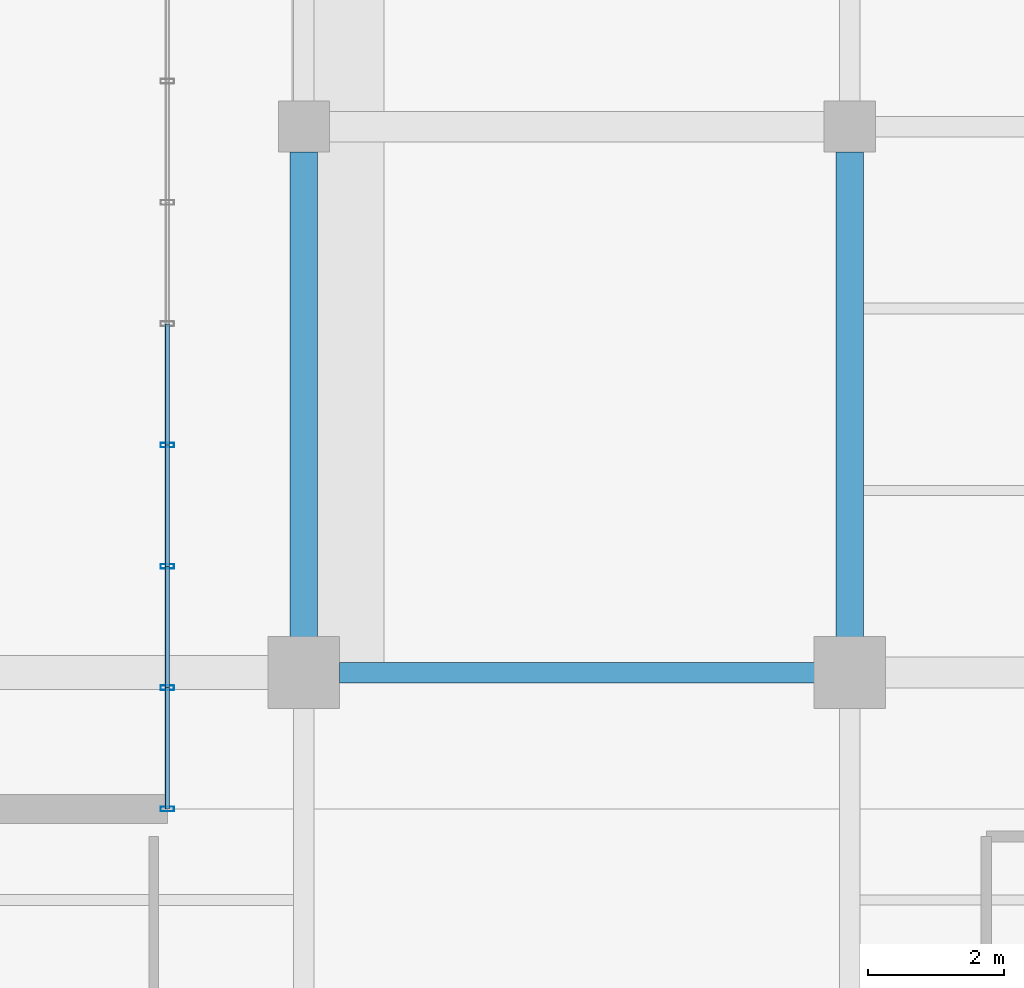
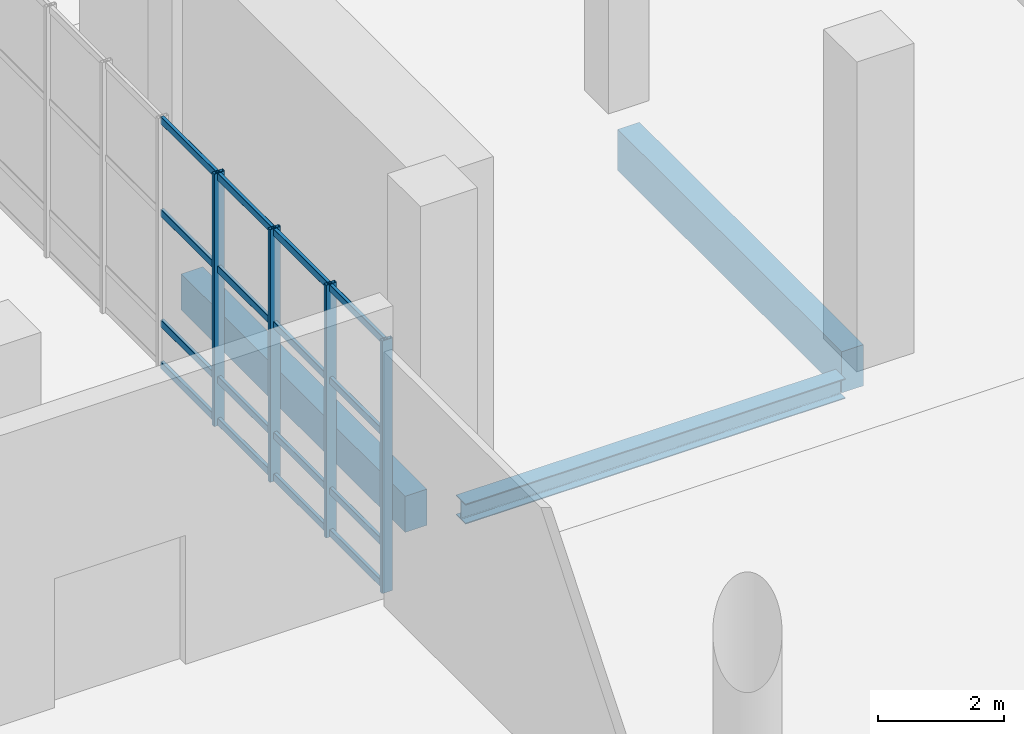
# One storey, part 74 of 163: 20 members, 3 beams, 1 element without a shape of its own.
"""IFC4 building model written with IfcOpenShell, lengths in metres."""

from ifc_helpers import new_model, si_unit, direction, frame, origin, origin_2d, place, context, subcontext, project, spatial, rectangle, hollow_rectangle, i_section, extrude, material, layer, layer_set, material_profile, profile_set, type_object, element, aggregate, save


model = new_model("IFC4")

# Units and contexts
model_context = context("Model", 3, precision=1e-05, world=origin(), true_north=direction((0.0, 1.0)))
body_context = subcontext(model_context, "Body", "Model", "MODEL_VIEW")
ifc_project = project(units=[si_unit("LENGTHUNIT", "METRE"), si_unit("AREAUNIT", "SQUARE_METRE"), si_unit("VOLUMEUNIT", "CUBIC_METRE"), si_unit("PLANEANGLEUNIT", "RADIAN"), si_unit("MASSUNIT", "GRAM", prefix="KILO")], contexts=[model_context])

# Site, building, storey
site_placement = place(None, origin())
site = spatial("IfcSite", under=ifc_project, at=site_placement, CompositionType="ELEMENT")
building_placement = place(site_placement, origin())
building = spatial("IfcBuilding", under=site, at=building_placement, Name="Khorjan Park Terminus", CompositionType="ELEMENT")
storey_placement = place(building_placement, origin())
storey = spatial("IfcBuildingStorey", under=building, at=storey_placement, Name="L00", CompositionType="ELEMENT", Elevation=0.0)

# Beams
ifc_material_1 = material(Name="Steel S355", Category="steel")
ifc_material_profile_1 = material_profile(ifc_material_1, i_section(OverallWidth=0.3, OverallDepth=0.39, WebThickness=0.011, FlangeThickness=0.019, FilletRadius=0.027, at=origin_2d()), Name="HEA 400")
ifc_profile_set_1 = profile_set([ifc_material_profile_1], Name="Steel S355")
beam_type_1 = type_object("IfcBeamType", Name="BM-HEA400", PredefinedType="BEAM", material=ifc_profile_set_1)
beam_1_placement = place(storey_placement, frame((112.52, 88.0, -0.555), z_axis=(1.0, 0.0, 0.0), x_axis=(0.0, 1.0, 0.0)))
element("IfcBeam", 1, at=beam_1_placement, inside=storey, type_object=beam_type_1, Name="Primary floor girder SB-A40 (L00)", PredefinedType="BEAM", context=body_context, shape_type="SweptSolid", body=[
    extrude(i_section(OverallWidth=0.3, OverallDepth=0.39, WebThickness=0.011, FlangeThickness=0.019, FilletRadius=0.027, at=origin_2d()), origin(), (0.0, 0.0, 1.0), 6.96),
])
ifc_material_2 = material(Name="Concrete C40/50", Category="concrete")
ifc_material_profile_2 = material_profile(ifc_material_2, rectangle(XDim=0.4, YDim=0.7, at=origin_2d()), Name="RC 400x700")
ifc_profile_set_2 = profile_set([ifc_material_profile_2], Name="Concrete C40/50")
beam_type_2 = type_object("IfcBeamType", Name="BM-RC400x700", PredefinedType="BEAM", material=ifc_profile_set_2)
beam_2_placement = place(storey_placement, frame((112.0, 88.52, -0.71), z_axis=(0.0, 1.0, 0.0), x_axis=(-1.0, 0.0, 0.0)))
element("IfcBeam", 2, at=beam_2_placement, inside=storey, type_object=beam_type_2, Name="Primary floor girder GB-07 (L00)", PredefinedType="BEAM", context=body_context, shape_type="SweptSolid", body=[
    extrude(rectangle(XDim=0.4, YDim=0.7, at=origin_2d()), origin(), (0.0, 0.0, 1.0), 7.11),
])
ifc_material_profile_3 = material_profile(ifc_material_2, rectangle(XDim=0.4, YDim=0.8, at=origin_2d()), Name="RC 400x800")
ifc_profile_set_3 = profile_set([ifc_material_profile_3], Name="Concrete C40/50")
beam_type_3 = type_object("IfcBeamType", Name="BM-RC400x800", PredefinedType="BEAM", material=ifc_profile_set_3)
beam_3_placement = place(storey_placement, frame((120.0, 88.52, -0.76), z_axis=(0.0, 1.0, 0.0), x_axis=(-1.0, 0.0, 0.0)))
element("IfcBeam", 3, at=beam_3_placement, inside=storey, type_object=beam_type_3, Name="Primary floor girder GB-08B (L00)", PredefinedType="BEAM", context=body_context, shape_type="SweptSolid", body=[
    extrude(rectangle(XDim=0.4, YDim=0.8, at=origin_2d()), origin(), (0.0, 0.0, 1.0), 7.11),
])

# Curtain wall, members
ifc_material_3 = material(Name="Anodized Bronze Aluminium", Category="aluminium")
ifc_layer = layer(ifc_material_3, 0.22)
ifc_layer_set = layer_set([ifc_layer], Name="Anodized Bronze Aluminium")
curtain_wall_type = type_object("IfcCurtainWallType", Name="CW-BRG-D", PredefinedType="NOTDEFINED", material=ifc_layer_set)
curtain_wall_placement = place(storey_placement, origin())
curtain_wall = element("IfcCurtainWall", 4, at=curtain_wall_placement, inside=storey, type_object=curtain_wall_type, Name="Unitized curtain wall CW-D (CW-NKE-W-L00)", PredefinedType="NOTDEFINED")
ifc_material_profile_4 = material_profile(ifc_material_3, hollow_rectangle(XDim=0.07, YDim=0.2, WallThickness=0.005, InnerFilletRadius=0.005, OuterFilletRadius=0.01, at=origin_2d()), Name="ALM 70x200x5")
ifc_profile_set_4 = profile_set([ifc_material_profile_4], Name="Anodized Bronze Aluminium")
member_type_1 = type_object("IfcMemberType", Name="ML-ALM-200", PredefinedType="MULLION", material=ifc_profile_set_4)
member_1_placement = place(storey_placement, frame((110.0, 91.3333, -0.035), z_axis=(0.0, 0.0, 1.0), x_axis=(0.0, -1.0, 0.0)))
member_1 = element("IfcMember", 5, at=member_1_placement, type_object=member_type_1, Name="Curtain-wall mullion ML-20 (CW-NKE-W-L00-6)", PredefinedType="MULLION", context=body_context, shape_type="SweptSolid", body=[
    extrude(hollow_rectangle(XDim=0.07, YDim=0.2, WallThickness=0.005, InnerFilletRadius=0.005, OuterFilletRadius=0.01, at=origin_2d()), origin(), (0.0, 0.0, 1.0), 4.895),
])
member_2_placement = place(storey_placement, frame((110.0, 89.5556, -0.035), z_axis=(0.0, 0.0, 1.0), x_axis=(0.0, -1.0, 0.0)))
member_2 = element("IfcMember", 6, at=member_2_placement, type_object=member_type_1, Name="Curtain-wall mullion ML-20 (CW-NKE-W-L00-7)", PredefinedType="MULLION", context=body_context, shape_type="SweptSolid", body=[
    extrude(hollow_rectangle(XDim=0.07, YDim=0.2, WallThickness=0.005, InnerFilletRadius=0.005, OuterFilletRadius=0.01, at=origin_2d()), origin(), (0.0, 0.0, 1.0), 4.895),
])
member_3_placement = place(storey_placement, frame((110.0, 87.7778, -0.035), z_axis=(0.0, 0.0, 1.0), x_axis=(0.0, -1.0, 0.0)))
member_3 = element("IfcMember", 7, at=member_3_placement, type_object=member_type_1, Name="Curtain-wall mullion ML-20 (CW-NKE-W-L00-8)", PredefinedType="MULLION", context=body_context, shape_type="SweptSolid", body=[
    extrude(hollow_rectangle(XDim=0.07, YDim=0.2, WallThickness=0.005, InnerFilletRadius=0.005, OuterFilletRadius=0.01, at=origin_2d()), origin(), (0.0, 0.0, 1.0), 4.895),
])
member_4_placement = place(storey_placement, frame((110.0, 86.0, -0.035), z_axis=(0.0, 0.0, 1.0), x_axis=(0.0, -1.0, 0.0)))
member_4 = element("IfcMember", 8, at=member_4_placement, type_object=member_type_1, Name="Curtain-wall mullion ML-20 (CW-NKE-W-L00-9)", PredefinedType="MULLION", context=body_context, shape_type="SweptSolid", body=[
    extrude(hollow_rectangle(XDim=0.07, YDim=0.2, WallThickness=0.005, InnerFilletRadius=0.005, OuterFilletRadius=0.01, at=origin_2d()), origin(), (0.0, 0.0, 1.0), 4.895),
])
ifc_material_profile_5 = material_profile(ifc_material_3, hollow_rectangle(XDim=0.065, YDim=0.14, WallThickness=0.004, InnerFilletRadius=0.004, OuterFilletRadius=0.008, at=origin_2d()), Name="ALT 65x140x4")
ifc_profile_set_5 = profile_set([ifc_material_profile_5], Name="Anodized Bronze Aluminium")
member_type_2 = type_object("IfcMemberType", Name="TR-ALT-140", PredefinedType="USERDEFINED", material=ifc_profile_set_5)
member_5_placement = place(storey_placement, frame((110.0, 93.1111, 0.04), z_axis=(0.0, -1.0, 0.0), x_axis=(1.0, 0.0, 0.0)))
member_5 = element("IfcMember", 9, at=member_5_placement, type_object=member_type_2, Name="Curtain-wall transom TR-14 (CW-NKE-W-L00-5-1)", ObjectType="TRANSOM", PredefinedType="USERDEFINED", context=body_context, shape_type="SweptSolid", body=[
    extrude(hollow_rectangle(XDim=0.065, YDim=0.14, WallThickness=0.004, InnerFilletRadius=0.004, OuterFilletRadius=0.008, at=origin_2d()), origin(), (0.0, 0.0, 1.0), 1.7778),
])
member_6_placement = place(storey_placement, frame((110.0, 93.1111, 0.85), z_axis=(0.0, -1.0, 0.0), x_axis=(1.0, 0.0, 0.0)))
member_6 = element("IfcMember", 10, at=member_6_placement, type_object=member_type_2, Name="Curtain-wall transom TR-14 (CW-NKE-W-L00-5-2)", ObjectType="TRANSOM", PredefinedType="USERDEFINED", context=body_context, shape_type="SweptSolid", body=[
    extrude(hollow_rectangle(XDim=0.065, YDim=0.14, WallThickness=0.004, InnerFilletRadius=0.004, OuterFilletRadius=0.008, at=origin_2d()), origin(), (0.0, 0.0, 1.0), 1.7778),
])
member_7_placement = place(storey_placement, frame((110.0, 93.1111, 2.9915), z_axis=(0.0, -1.0, 0.0), x_axis=(1.0, 0.0, 0.0)))
member_7 = element("IfcMember", 11, at=member_7_placement, type_object=member_type_2, Name="Curtain-wall transom TR-14 (CW-NKE-W-L00-5-3)", ObjectType="TRANSOM", PredefinedType="USERDEFINED", context=body_context, shape_type="SweptSolid", body=[
    extrude(hollow_rectangle(XDim=0.065, YDim=0.14, WallThickness=0.004, InnerFilletRadius=0.004, OuterFilletRadius=0.008, at=origin_2d()), origin(), (0.0, 0.0, 1.0), 1.7778),
])
member_8_placement = place(storey_placement, frame((110.0, 93.1111, 4.785), z_axis=(0.0, -1.0, 0.0), x_axis=(1.0, 0.0, 0.0)))
member_8 = element("IfcMember", 12, at=member_8_placement, type_object=member_type_2, Name="Curtain-wall transom TR-14 (CW-NKE-W-L00-5-4)", ObjectType="TRANSOM", PredefinedType="USERDEFINED", context=body_context, shape_type="SweptSolid", body=[
    extrude(hollow_rectangle(XDim=0.065, YDim=0.14, WallThickness=0.004, InnerFilletRadius=0.004, OuterFilletRadius=0.008, at=origin_2d()), origin(), (0.0, 0.0, 1.0), 1.7778),
])
member_9_placement = place(storey_placement, frame((110.0, 91.3333, 0.04), z_axis=(0.0, -1.0, 0.0), x_axis=(1.0, 0.0, 0.0)))
member_9 = element("IfcMember", 13, at=member_9_placement, type_object=member_type_2, Name="Curtain-wall transom TR-14 (CW-NKE-W-L00-6-1)", ObjectType="TRANSOM", PredefinedType="USERDEFINED", context=body_context, shape_type="SweptSolid", body=[
    extrude(hollow_rectangle(XDim=0.065, YDim=0.14, WallThickness=0.004, InnerFilletRadius=0.004, OuterFilletRadius=0.008, at=origin_2d()), origin(), (0.0, 0.0, 1.0), 1.7777),
])
member_10_placement = place(storey_placement, frame((110.0, 91.3333, 0.85), z_axis=(0.0, -1.0, 0.0), x_axis=(1.0, 0.0, 0.0)))
member_10 = element("IfcMember", 14, at=member_10_placement, type_object=member_type_2, Name="Curtain-wall transom TR-14 (CW-NKE-W-L00-6-2)", ObjectType="TRANSOM", PredefinedType="USERDEFINED", context=body_context, shape_type="SweptSolid", body=[
    extrude(hollow_rectangle(XDim=0.065, YDim=0.14, WallThickness=0.004, InnerFilletRadius=0.004, OuterFilletRadius=0.008, at=origin_2d()), origin(), (0.0, 0.0, 1.0), 1.7777),
])
member_11_placement = place(storey_placement, frame((110.0, 91.3333, 2.9915), z_axis=(0.0, -1.0, 0.0), x_axis=(1.0, 0.0, 0.0)))
member_11 = element("IfcMember", 15, at=member_11_placement, type_object=member_type_2, Name="Curtain-wall transom TR-14 (CW-NKE-W-L00-6-3)", ObjectType="TRANSOM", PredefinedType="USERDEFINED", context=body_context, shape_type="SweptSolid", body=[
    extrude(hollow_rectangle(XDim=0.065, YDim=0.14, WallThickness=0.004, InnerFilletRadius=0.004, OuterFilletRadius=0.008, at=origin_2d()), origin(), (0.0, 0.0, 1.0), 1.7777),
])
member_12_placement = place(storey_placement, frame((110.0, 91.3333, 4.785), z_axis=(0.0, -1.0, 0.0), x_axis=(1.0, 0.0, 0.0)))
member_12 = element("IfcMember", 16, at=member_12_placement, type_object=member_type_2, Name="Curtain-wall transom TR-14 (CW-NKE-W-L00-6-4)", ObjectType="TRANSOM", PredefinedType="USERDEFINED", context=body_context, shape_type="SweptSolid", body=[
    extrude(hollow_rectangle(XDim=0.065, YDim=0.14, WallThickness=0.004, InnerFilletRadius=0.004, OuterFilletRadius=0.008, at=origin_2d()), origin(), (0.0, 0.0, 1.0), 1.7777),
])
member_13_placement = place(storey_placement, frame((110.0, 89.5556, 0.04), z_axis=(0.0, -1.0, 0.0), x_axis=(1.0, 0.0, 0.0)))
member_13 = element("IfcMember", 17, at=member_13_placement, type_object=member_type_2, Name="Curtain-wall transom TR-14 (CW-NKE-W-L00-7-1)", ObjectType="TRANSOM", PredefinedType="USERDEFINED", context=body_context, shape_type="SweptSolid", body=[
    extrude(hollow_rectangle(XDim=0.065, YDim=0.14, WallThickness=0.004, InnerFilletRadius=0.004, OuterFilletRadius=0.008, at=origin_2d()), origin(), (0.0, 0.0, 1.0), 1.7778),
])
member_14_placement = place(storey_placement, frame((110.0, 89.5556, 0.85), z_axis=(0.0, -1.0, 0.0), x_axis=(1.0, 0.0, 0.0)))
member_14 = element("IfcMember", 18, at=member_14_placement, type_object=member_type_2, Name="Curtain-wall transom TR-14 (CW-NKE-W-L00-7-2)", ObjectType="TRANSOM", PredefinedType="USERDEFINED", context=body_context, shape_type="SweptSolid", body=[
    extrude(hollow_rectangle(XDim=0.065, YDim=0.14, WallThickness=0.004, InnerFilletRadius=0.004, OuterFilletRadius=0.008, at=origin_2d()), origin(), (0.0, 0.0, 1.0), 1.7778),
])
member_15_placement = place(storey_placement, frame((110.0, 89.5556, 2.9915), z_axis=(0.0, -1.0, 0.0), x_axis=(1.0, 0.0, 0.0)))
member_15 = element("IfcMember", 19, at=member_15_placement, type_object=member_type_2, Name="Curtain-wall transom TR-14 (CW-NKE-W-L00-7-3)", ObjectType="TRANSOM", PredefinedType="USERDEFINED", context=body_context, shape_type="SweptSolid", body=[
    extrude(hollow_rectangle(XDim=0.065, YDim=0.14, WallThickness=0.004, InnerFilletRadius=0.004, OuterFilletRadius=0.008, at=origin_2d()), origin(), (0.0, 0.0, 1.0), 1.7778),
])
member_16_placement = place(storey_placement, frame((110.0, 89.5556, 4.785), z_axis=(0.0, -1.0, 0.0), x_axis=(1.0, 0.0, 0.0)))
member_16 = element("IfcMember", 20, at=member_16_placement, type_object=member_type_2, Name="Curtain-wall transom TR-14 (CW-NKE-W-L00-7-4)", ObjectType="TRANSOM", PredefinedType="USERDEFINED", context=body_context, shape_type="SweptSolid", body=[
    extrude(hollow_rectangle(XDim=0.065, YDim=0.14, WallThickness=0.004, InnerFilletRadius=0.004, OuterFilletRadius=0.008, at=origin_2d()), origin(), (0.0, 0.0, 1.0), 1.7778),
])
member_17_placement = place(storey_placement, frame((110.0, 87.7778, 0.04), z_axis=(0.0, -1.0, 0.0), x_axis=(1.0, 0.0, 0.0)))
member_17 = element("IfcMember", 21, at=member_17_placement, type_object=member_type_2, Name="Curtain-wall transom TR-14 (CW-NKE-W-L00-8-1)", ObjectType="TRANSOM", PredefinedType="USERDEFINED", context=body_context, shape_type="SweptSolid", body=[
    extrude(hollow_rectangle(XDim=0.065, YDim=0.14, WallThickness=0.004, InnerFilletRadius=0.004, OuterFilletRadius=0.008, at=origin_2d()), origin(), (0.0, 0.0, 1.0), 1.7778),
])
member_18_placement = place(storey_placement, frame((110.0, 87.7778, 0.85), z_axis=(0.0, -1.0, 0.0), x_axis=(1.0, 0.0, 0.0)))
member_18 = element("IfcMember", 22, at=member_18_placement, type_object=member_type_2, Name="Curtain-wall transom TR-14 (CW-NKE-W-L00-8-2)", ObjectType="TRANSOM", PredefinedType="USERDEFINED", context=body_context, shape_type="SweptSolid", body=[
    extrude(hollow_rectangle(XDim=0.065, YDim=0.14, WallThickness=0.004, InnerFilletRadius=0.004, OuterFilletRadius=0.008, at=origin_2d()), origin(), (0.0, 0.0, 1.0), 1.7778),
])
member_19_placement = place(storey_placement, frame((110.0, 87.7778, 2.9915), z_axis=(0.0, -1.0, 0.0), x_axis=(1.0, 0.0, 0.0)))
member_19 = element("IfcMember", 23, at=member_19_placement, type_object=member_type_2, Name="Curtain-wall transom TR-14 (CW-NKE-W-L00-8-3)", ObjectType="TRANSOM", PredefinedType="USERDEFINED", context=body_context, shape_type="SweptSolid", body=[
    extrude(hollow_rectangle(XDim=0.065, YDim=0.14, WallThickness=0.004, InnerFilletRadius=0.004, OuterFilletRadius=0.008, at=origin_2d()), origin(), (0.0, 0.0, 1.0), 1.7778),
])
member_20_placement = place(storey_placement, frame((110.0, 87.7778, 4.785), z_axis=(0.0, -1.0, 0.0), x_axis=(1.0, 0.0, 0.0)))
member_20 = element("IfcMember", 24, at=member_20_placement, type_object=member_type_2, Name="Curtain-wall transom TR-14 (CW-NKE-W-L00-8-4)", ObjectType="TRANSOM", PredefinedType="USERDEFINED", context=body_context, shape_type="SweptSolid", body=[
    extrude(hollow_rectangle(XDim=0.065, YDim=0.14, WallThickness=0.004, InnerFilletRadius=0.004, OuterFilletRadius=0.008, at=origin_2d()), origin(), (0.0, 0.0, 1.0), 1.7778),
])
aggregate(curtain_wall, [member_1, member_2, member_3, member_4, member_5, member_6, member_7, member_8, member_9, member_10, member_11, member_12, member_13, member_14, member_15, member_16, member_17, member_18, member_19, member_20])

save(model, "model.ifc")
